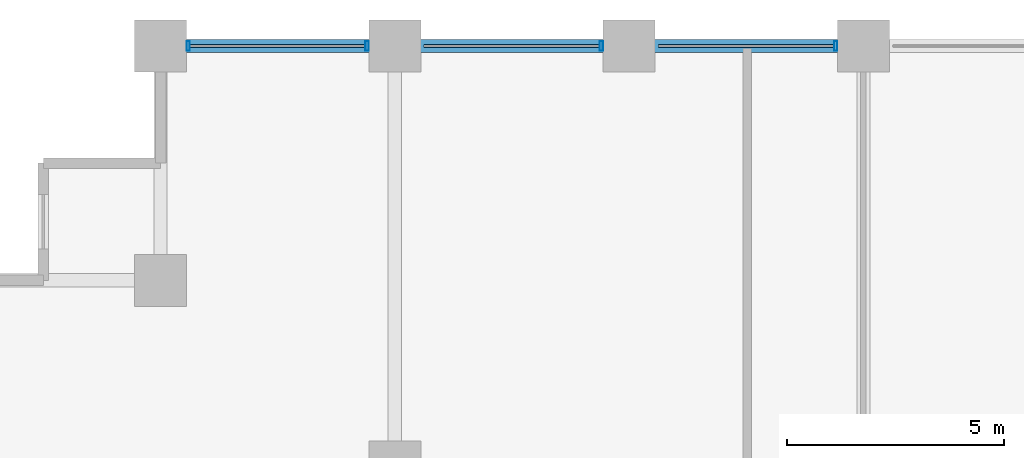
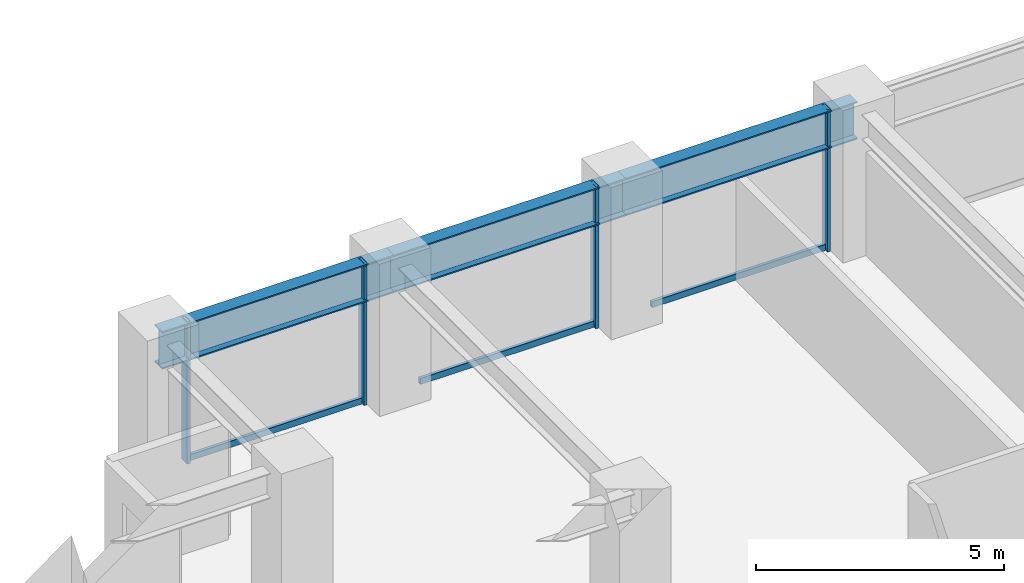
# One storey, part 12 of 26: 7 members, 3 beams, 1 element without a shape of its own.
"""IFC4 building model written with IfcOpenShell, lengths in metres."""

from ifc_helpers import new_model, si_unit, direction, frame, origin, origin_2d, place, context, subcontext, project, spatial, hollow_rectangle, i_section, extrude, material, layer, layer_set, material_profile, profile_set, type_object, element, aggregate, save


model = new_model("IFC4")

# Units and contexts
model_context = context("Model", 3, precision=1e-05, world=origin(), true_north=direction((0.0, 1.0)))
body_context = subcontext(model_context, "Body", "Model", "MODEL_VIEW")
ifc_project = project(units=[si_unit("LENGTHUNIT", "METRE"), si_unit("AREAUNIT", "SQUARE_METRE"), si_unit("VOLUMEUNIT", "CUBIC_METRE"), si_unit("PLANEANGLEUNIT", "RADIAN"), si_unit("MASSUNIT", "GRAM", prefix="KILO")], contexts=[model_context])

# Site, building, storey
site_placement = place(None, origin())
site = spatial("IfcSite", under=ifc_project, at=site_placement, CompositionType="ELEMENT")
building_placement = place(site_placement, origin())
building = spatial("IfcBuilding", under=site, at=building_placement, Name="Surkhivell Harbour Commons", CompositionType="ELEMENT")
storey_placement = place(building_placement, frame((0.0, 0.0, 75.0)))
storey = spatial("IfcBuildingStorey", under=building, at=storey_placement, Name="L19", CompositionType="ELEMENT", Elevation=75.0)

# Beams
ifc_material_1 = material(Name="Steel S460", Category="steel")
ifc_material_profile_1 = material_profile(ifc_material_1, i_section(OverallWidth=0.30810546875, OverallDepth=0.927001953125, WebThickness=0.01953125, FlangeThickness=0.031982421875, at=origin_2d()), Name="UB914x305x289")
ifc_profile_set_1 = profile_set([ifc_material_profile_1], Name="Steel S460")
beam_type = type_object("IfcBeamType", Name="BM-SPN-914B", PredefinedType="SPANDREL", material=ifc_profile_set_1)
beam_1_placement = place(storey_placement, frame((-27.0, 25.89990234375, 3.03662109375), z_axis=(1.0, 0.0, 0.0), x_axis=(0.0, 1.0, 0.0)))
element("IfcBeam", 1, at=beam_1_placement, inside=storey, type_object=beam_type, Name="L19 Tube Spandrel (-27.0,25.9)", PredefinedType="SPANDREL", context=body_context, shape_type="SweptSolid", body=[
    extrude(i_section(OverallWidth=0.30810546875, OverallDepth=0.927001953125, WebThickness=0.01953125, FlangeThickness=0.031982421875, at=origin_2d()), origin(), (0.0, 0.0, 1.0), 5.39990234375),
])
beam_2_placement = place(storey_placement, frame((-21.60009765625, 25.89990234375, 3.03662109375), z_axis=(1.0, 0.0, 0.0), x_axis=(0.0, 1.0, 0.0)))
element("IfcBeam", 2, at=beam_2_placement, inside=storey, type_object=beam_type, Name="L19 Tube Spandrel (-21.6,25.9)", PredefinedType="SPANDREL", context=body_context, shape_type="SweptSolid", body=[
    extrude(i_section(OverallWidth=0.30810546875, OverallDepth=0.927001953125, WebThickness=0.01953125, FlangeThickness=0.031982421875, at=origin_2d()), origin(), (0.0, 0.0, 1.0), 5.400146484375),
])
beam_3_placement = place(storey_placement, frame((-16.199951171875, 25.89990234375, 3.03662109375), z_axis=(1.0, 0.0, 0.0), x_axis=(0.0, 1.0, 0.0)))
element("IfcBeam", 3, at=beam_3_placement, inside=storey, type_object=beam_type, Name="L19 Tube Spandrel (-16.2,25.9)", PredefinedType="SPANDREL", context=body_context, shape_type="SweptSolid", body=[
    extrude(i_section(OverallWidth=0.30810546875, OverallDepth=0.927001953125, WebThickness=0.01953125, FlangeThickness=0.031982421875, at=origin_2d()), origin(), (0.0, 0.0, 1.0), 5.39990234375),
])

# Curtain wall, members
ifc_material_2 = material(Name="Anodised pale-metal aluminium and insulated glazing", Category="aluminium")
ifc_layer = layer(ifc_material_2, 0.219970703125)
ifc_layer_set = layer_set([ifc_layer], Name="Anodised pale-metal aluminium and insulated glazing")
curtain_wall_type = type_object("IfcCurtainWallType", Name="CW-SYS-Z1", PredefinedType="NOTDEFINED", material=ifc_layer_set)
curtain_wall_placement = place(storey_placement, origin())
curtain_wall = element("IfcCurtainWall", 4, at=curtain_wall_placement, inside=storey, type_object=curtain_wall_type, Name="L19 Curtain Wall CW-L19-E07S2", PredefinedType="NOTDEFINED")
ifc_material_3 = material(Name="Anodised pale-metal aluminium alloy 6063-T6", Category="aluminium")
ifc_material_profile_2 = material_profile(ifc_material_3, hollow_rectangle(XDim=0.074951171875, YDim=0.219970703125, WallThickness=0.00390625, at=origin_2d()), Name="ALU-MULL-75x220")
ifc_profile_set_2 = profile_set([ifc_material_profile_2], Name="Anodised pale-metal aluminium alloy 6063-T6")
member_type_1 = type_object("IfcMemberType", Name="CWM-220", PredefinedType="MULLION", material=ifc_profile_set_2)
member_1_placement = place(storey_placement, frame((-11.439453125, 25.89990234375, 0.0), z_axis=(0.0, 0.0, 1.0), x_axis=(-1.0, 0.0, 0.0)))
member_1 = element("IfcMember", 5, at=member_1_placement, type_object=member_type_1, Name="CW-Z1 mullion 2", PredefinedType="MULLION", context=body_context, shape_type="SweptSolid", body=[
    extrude(hollow_rectangle(XDim=0.074951171875, YDim=0.219970703125, WallThickness=0.00390625, at=origin_2d()), origin(), (0.0, 0.0, 1.0), 3.5),
])
member_2_placement = place(storey_placement, frame((-16.839599609375, 25.89990234375, 0.0), z_axis=(0.0, 0.0, 1.0), x_axis=(-1.0, 0.0, 0.0)))
member_2 = element("IfcMember", 6, at=member_2_placement, type_object=member_type_1, Name="CW-Z1 mullion 3", PredefinedType="MULLION", context=body_context, shape_type="SweptSolid", body=[
    extrude(hollow_rectangle(XDim=0.074951171875, YDim=0.219970703125, WallThickness=0.00390625, at=origin_2d()), origin(), (0.0, 0.0, 1.0), 3.5),
])
member_3_placement = place(storey_placement, frame((-22.239501953125, 25.89990234375, 0.0), z_axis=(0.0, 0.0, 1.0), x_axis=(-1.0, 0.0, 0.0)))
member_3 = element("IfcMember", 7, at=member_3_placement, type_object=member_type_1, Name="CW-Z1 mullion 4", PredefinedType="MULLION", context=body_context, shape_type="SweptSolid", body=[
    extrude(hollow_rectangle(XDim=0.074951171875, YDim=0.219970703125, WallThickness=0.00390625, at=origin_2d()), origin(), (0.0, 0.0, 1.0), 3.5),
])
member_4_placement = place(storey_placement, frame((-26.360595703125, 25.89990234375, 0.0), z_axis=(0.0, 0.0, 1.0), x_axis=(-1.0, 0.0, 0.0)))
member_4 = element("IfcMember", 8, at=member_4_placement, type_object=member_type_1, Name="CW-Z1 mullion 5", PredefinedType="MULLION", context=body_context, shape_type="SweptSolid", body=[
    extrude(hollow_rectangle(XDim=0.074951171875, YDim=0.219970703125, WallThickness=0.00390625, at=origin_2d()), origin(), (0.0, 0.0, 1.0), 3.5),
])
ifc_material_profile_3 = material_profile(ifc_material_3, hollow_rectangle(XDim=0.074951171875, YDim=0.14990234375, WallThickness=0.00341796875, at=origin_2d()), Name="ALU-TRAN-75x150")
ifc_profile_set_3 = profile_set([ifc_material_profile_3], Name="Anodised pale-metal aluminium alloy 6063-T6")
member_type_2 = type_object("IfcMemberType", Name="CWT-150", PredefinedType="USERDEFINED", material=ifc_profile_set_3)
member_5_placement = place(storey_placement, frame((-11.47705078125, 25.89990234375, 0.074951171875), z_axis=(-1.0, 0.0, 0.0), x_axis=(0.0, -1.0, 0.0)))
member_5 = element("IfcMember", 9, at=member_5_placement, type_object=member_type_2, Name="CW-Z1 transom 2.1", ObjectType="TRANSOM", PredefinedType="USERDEFINED", context=body_context, shape_type="SweptSolid", body=[
    extrude(hollow_rectangle(XDim=0.074951171875, YDim=0.14990234375, WallThickness=0.00341796875, at=origin_2d()), origin(), (0.0, 0.0, 1.0), 4.0458984375),
])
member_6_placement = place(storey_placement, frame((-16.876953125, 25.89990234375, 0.074951171875), z_axis=(-1.0, 0.0, 0.0), x_axis=(0.0, -1.0, 0.0)))
member_6 = element("IfcMember", 10, at=member_6_placement, type_object=member_type_2, Name="CW-Z1 transom 3.1", ObjectType="TRANSOM", PredefinedType="USERDEFINED", context=body_context, shape_type="SweptSolid", body=[
    extrude(hollow_rectangle(XDim=0.074951171875, YDim=0.14990234375, WallThickness=0.00341796875, at=origin_2d()), origin(), (0.0, 0.0, 1.0), 4.046142578125),
])
member_7_placement = place(storey_placement, frame((-22.277099609375, 25.89990234375, 0.074951171875), z_axis=(-1.0, 0.0, 0.0), x_axis=(0.0, -1.0, 0.0)))
member_7 = element("IfcMember", 11, at=member_7_placement, type_object=member_type_2, Name="CW-Z1 transom 4.1", ObjectType="TRANSOM", PredefinedType="USERDEFINED", context=body_context, shape_type="SweptSolid", body=[
    extrude(hollow_rectangle(XDim=0.074951171875, YDim=0.14990234375, WallThickness=0.00341796875, at=origin_2d()), origin(), (0.0, 0.0, 1.0), 4.0458984375),
])
aggregate(curtain_wall, [member_1, member_5, member_2, member_6, member_3, member_4, member_7])

save(model, "model.ifc")
